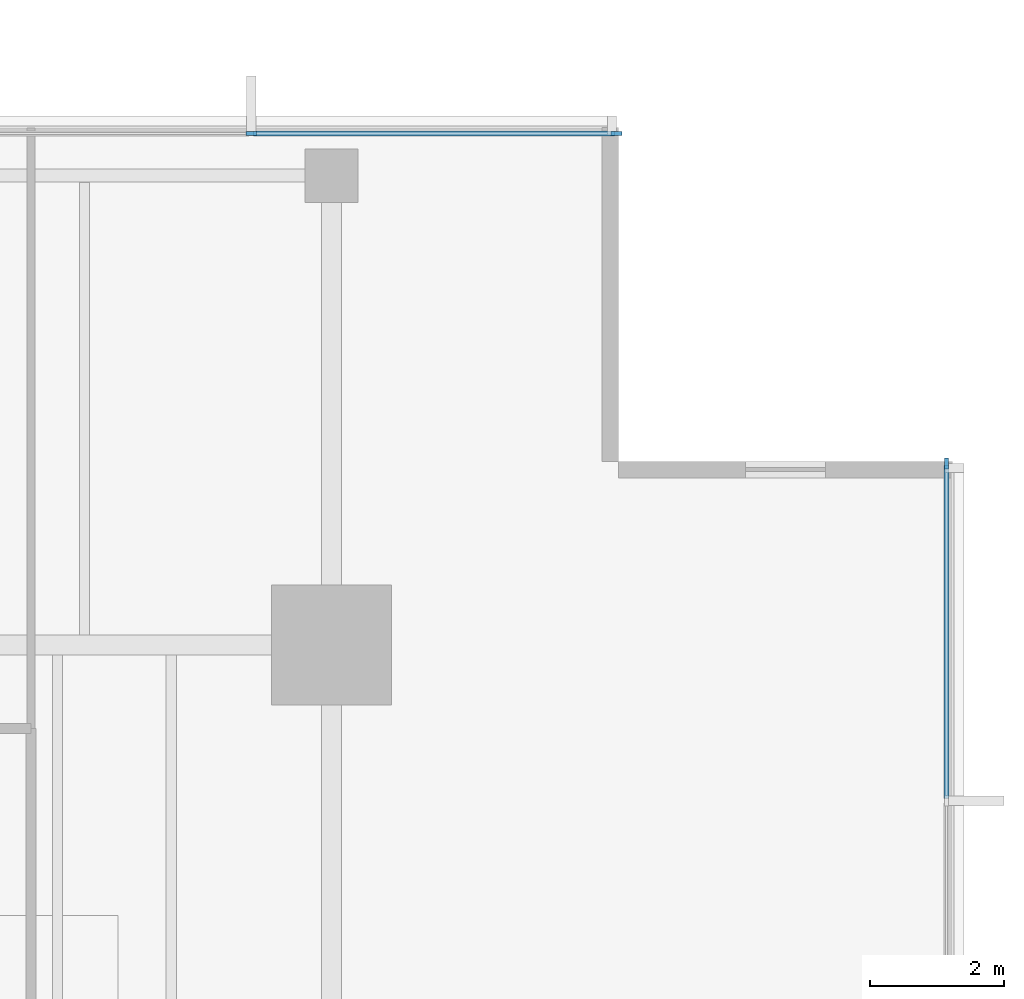
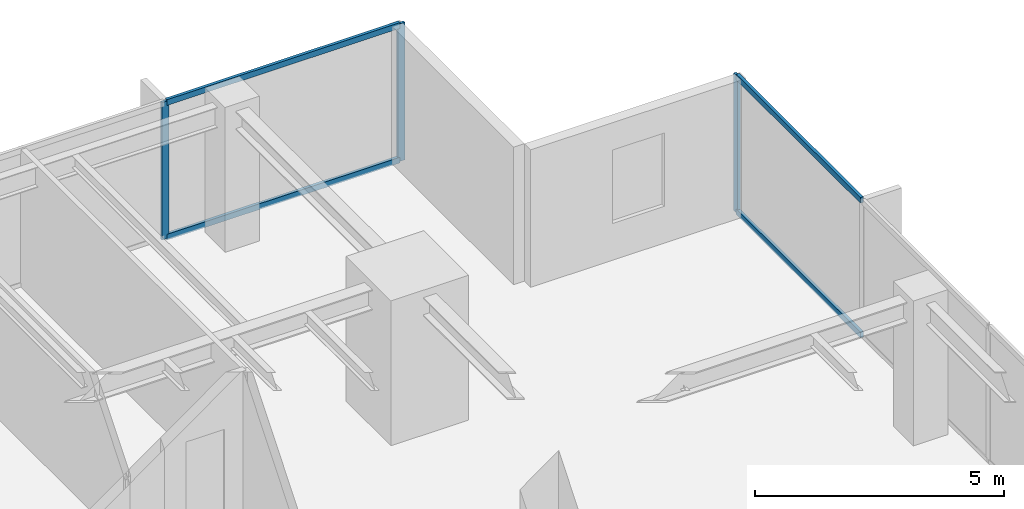
# One storey, part 6 of 15: 7 members, 2 elements without a shape of their own.
"""IFC4 building model written with IfcOpenShell, lengths in metres."""

from ifc_helpers import new_model, si_unit, direction, frame, origin, origin_2d, place, context, subcontext, project, spatial, rectangle, extrude, material, layer, layer_set, material_profile, profile_set, type_object, element, aggregate, save


model = new_model("IFC4")

# Units and contexts
model_context = context("Model", 3, precision=1e-05, world=origin(), true_north=direction((0.0, 1.0)))
body_context = subcontext(model_context, "Body", "Model", "MODEL_VIEW")
ifc_project = project(units=[si_unit("LENGTHUNIT", "METRE"), si_unit("AREAUNIT", "SQUARE_METRE"), si_unit("VOLUMEUNIT", "CUBIC_METRE"), si_unit("PLANEANGLEUNIT", "RADIAN"), si_unit("MASSUNIT", "GRAM", prefix="KILO")], contexts=[model_context])

# Site, building, storey
site_placement = place(None, origin())
site = spatial("IfcSite", under=ifc_project, at=site_placement, CompositionType="ELEMENT")
building_placement = place(site_placement, origin())
building = spatial("IfcBuilding", under=site, at=building_placement, Name="Kinhvarn Gate Tower", CompositionType="ELEMENT")
storey_placement = place(building_placement, frame((0.0, 0.0, 220.0)))
storey = spatial("IfcBuildingStorey", under=building, at=storey_placement, Name="L58", CompositionType="ELEMENT", Elevation=220.0)

# Curtain wall, members
ifc_material = material(Name="Anodised aluminium AW-6063", Category="aluminium")
ifc_layer = layer(ifc_material, 0.179931640625)
ifc_layer_set = layer_set([ifc_layer], Name="Anodised aluminium AW-6063")
curtain_wall_type = type_object("IfcCurtainWallType", Name="CW-SYS-3", PredefinedType="NOTDEFINED", material=ifc_layer_set)
curtain_wall_1_placement = place(storey_placement, origin())
curtain_wall_1 = element("IfcCurtainWall", 1, at=curtain_wall_1_placement, inside=storey, type_object=curtain_wall_type, Name="Curtain Wall CW3 (L58)", PredefinedType="NOTDEFINED")
ifc_material_profile_1 = material_profile(ifc_material, rectangle(XDim=0.06494140625, YDim=0.159912109375, at=origin_2d()), Name="ALU 65x160")
ifc_profile_set_1 = profile_set([ifc_material_profile_1], Name="Anodised aluminium AW-6063")
member_type_1 = type_object("IfcMemberType", Name="CW-MUL-160", PredefinedType="MULLION", material=ifc_profile_set_1)
member_1_placement = place(storey_placement, frame((42.467529296875, 45.409912109375, 0.0), z_axis=(0.0, 0.0, 1.0), x_axis=(0.0, -1.0, 0.0)))
member_1 = element("IfcMember", 2, at=member_1_placement, type_object=member_type_1, Name="CW3 mullion 1", PredefinedType="MULLION", context=body_context, shape_type="SweptSolid", body=[
    extrude(rectangle(XDim=0.06494140625, YDim=0.159912109375, at=origin_2d()), origin(), (0.0, 0.0, 1.0), 3.3701171875),
])
member_2_placement = place(storey_placement, frame((37.0, 45.409912109375, 0.0), z_axis=(0.0, 0.0, 1.0), x_axis=(0.0, -1.0, 0.0)))
member_2 = element("IfcMember", 3, at=member_2_placement, type_object=member_type_1, Name="CW3 mullion 2", PredefinedType="MULLION", context=body_context, shape_type="SweptSolid", body=[
    extrude(rectangle(XDim=0.06494140625, YDim=0.159912109375, at=origin_2d()), origin(), (0.0, 0.0, 1.0), 3.3701171875),
])

# Curtain wall, member
curtain_wall_2_placement = place(storey_placement, origin())
curtain_wall_2 = element("IfcCurtainWall", 4, at=curtain_wall_2_placement, inside=storey, type_object=curtain_wall_type, Name="Curtain Wall CW3 (L58)", PredefinedType="NOTDEFINED")
member_3_placement = place(storey_placement, frame((47.409912109375, 40.467529296875, 0.0), z_axis=(0.0, 0.0, 1.0), x_axis=(-1.0, 0.0, 0.0)))
member_3 = element("IfcMember", 5, at=member_3_placement, type_object=member_type_1, Name="CW3 mullion 7", PredefinedType="MULLION", context=body_context, shape_type="SweptSolid", body=[
    extrude(rectangle(XDim=0.06494140625, YDim=0.159912109375, at=origin_2d()), origin(), (0.0, 0.0, 1.0), 3.3701171875),
])

# Member
ifc_material_profile_2 = material_profile(ifc_material, rectangle(XDim=0.070068359375, YDim=0.139892578125, at=origin_2d()), Name="ALU 70x140")
ifc_profile_set_2 = profile_set([ifc_material_profile_2], Name="Anodised aluminium AW-6063")
member_type_2 = type_object("IfcMemberType", Name="CW-TRN-140", PredefinedType="USERDEFINED", material=ifc_profile_set_2)
member_4_placement = place(storey_placement, frame((42.43505859375, 45.409912109375, 0.034912109375), z_axis=(-1.0, 0.0, 0.0), x_axis=(0.0, -1.0, 0.0)))
member_4 = element("IfcMember", 6, at=member_4_placement, type_object=member_type_2, Name="CW3 transom 1.1", ObjectType="TRANSOM", PredefinedType="USERDEFINED", context=body_context, shape_type="SweptSolid", body=[
    extrude(rectangle(XDim=0.070068359375, YDim=0.139892578125, at=origin_2d()), origin(), (0.0, 0.0, 1.0), 5.402587890625),
])

member_5_placement = place(storey_placement, frame((42.43505859375, 45.409912109375, 3.3349609375), z_axis=(-1.0, 0.0, 0.0), x_axis=(0.0, -1.0, 0.0)))
member_5 = element("IfcMember", 7, at=member_5_placement, type_object=member_type_2, Name="CW3 transom 1.2", ObjectType="TRANSOM", PredefinedType="USERDEFINED", context=body_context, shape_type="SweptSolid", body=[
    extrude(rectangle(XDim=0.070068359375, YDim=0.139892578125, at=origin_2d()), origin(), (0.0, 0.0, 1.0), 5.402587890625),
])

aggregate(curtain_wall_1, [member_1, member_2, member_4, member_5])

member_6_placement = place(storey_placement, frame((47.409912109375, 35.44921875, 0.034912109375), z_axis=(0.0, 1.0, 0.0), x_axis=(-1.0, 0.0, 0.0)))
member_6 = element("IfcMember", 8, at=member_6_placement, type_object=member_type_2, Name="CW3 transom 6.1", ObjectType="TRANSOM", PredefinedType="USERDEFINED", context=body_context, shape_type="SweptSolid", body=[
    extrude(rectangle(XDim=0.070068359375, YDim=0.139892578125, at=origin_2d()), origin(), (0.0, 0.0, 1.0), 4.98583984375),
])

member_7_placement = place(storey_placement, frame((47.409912109375, 35.44921875, 3.3349609375), z_axis=(0.0, 1.0, 0.0), x_axis=(-1.0, 0.0, 0.0)))
member_7 = element("IfcMember", 9, at=member_7_placement, type_object=member_type_2, Name="CW3 transom 6.2", ObjectType="TRANSOM", PredefinedType="USERDEFINED", context=body_context, shape_type="SweptSolid", body=[
    extrude(rectangle(XDim=0.070068359375, YDim=0.139892578125, at=origin_2d()), origin(), (0.0, 0.0, 1.0), 4.98583984375),
])

aggregate(curtain_wall_2, [member_3, member_6, member_7])

save(model, "model.ifc")
